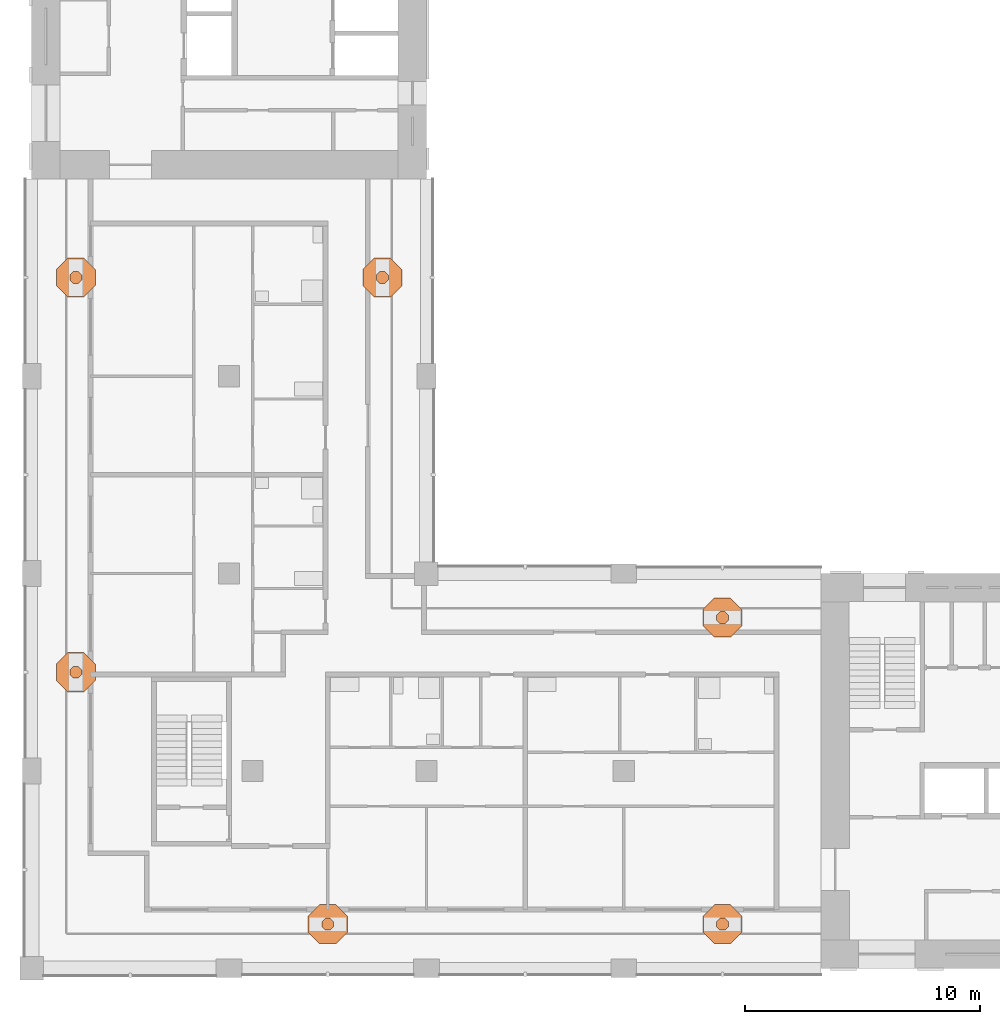
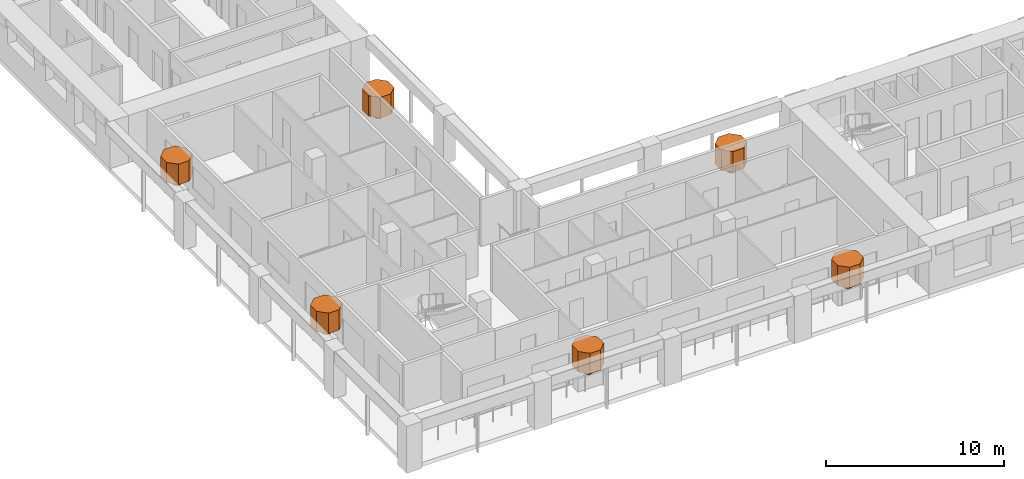
# One storey, part 12 of 12: 12 geographic elements.
"""IFC4 building model written with IfcOpenShell, lengths in metres."""

from ifc_helpers import new_model, si_unit, direction, frame, origin, place, context, subcontext, project, spatial, polyline, outline, extrude, material, element, save


model = new_model("IFC4")

# Units and contexts
model_context = context("Model", 3, precision=1e-05, world=origin(), true_north=direction((0.0, 1.0)))
body_context = subcontext(model_context, "Body", "Model", "MODEL_VIEW")
ifc_project = project(units=[si_unit("LENGTHUNIT", "METRE"), si_unit("AREAUNIT", "SQUARE_METRE"), si_unit("VOLUMEUNIT", "CUBIC_METRE"), si_unit("PLANEANGLEUNIT", "RADIAN"), si_unit("MASSUNIT", "GRAM", prefix="KILO")], contexts=[model_context])

# Site, building, storey
site_placement = place(None, origin())
site = spatial("IfcSite", under=ifc_project, at=site_placement, CompositionType="ELEMENT")
building_placement = place(site_placement, origin())
building = spatial("IfcBuilding", under=site, at=building_placement, Name="Vermilion Gate Residences", CompositionType="ELEMENT")
storey_placement = place(building_placement, frame((0.0, 0.0, 214.199951171875)))
storey = spatial("IfcBuildingStorey", under=building, at=storey_placement, Name="L55", CompositionType="ELEMENT", Elevation=214.199951171875)

# Geographic elements
ifc_material = material(Name="Foliage")
geographic_element_1_placement = place(storey_placement, frame((0.0, 0.0, 0.900146484375)))
element("IfcGeographicElement", 1, at=geographic_element_1_placement, inside=storey, material=ifc_material, Name="Tree (black pine)", ObjectType="TREE", PredefinedType="USERDEFINED", context=body_context, shape_type="SweptSolid", body=[
    extrude(outline(polyline([(21.254150390625, 10.380126953125), (21.105224609375, 10.529052734375), (20.894775390625, 10.529052734375), (20.745849609375, 10.380126953125), (20.745849609375, 10.169921875), (20.894775390625, 10.02099609375), (21.105224609375, 10.02099609375), (21.254150390625, 10.169921875), (21.254150390625, 10.380126953125)])), origin(), (0.0, 0.0, 1.0), 0.52001953125),
])
geographic_element_2_placement = place(storey_placement, frame((0.0, 0.0, 1.420166015625)))
element("IfcGeographicElement", 2, at=geographic_element_2_placement, inside=storey, material=ifc_material, Name="Tree crown (black pine)", ObjectType="TREE", PredefinedType="USERDEFINED", context=body_context, shape_type="SweptSolid", body=[
    extrude(outline(polyline([(21.83154296875, 10.619384765625), (21.344482421875, 11.1064453125), (20.655517578125, 11.1064453125), (20.16845703125, 10.619384765625), (20.16845703125, 9.9306640625), (20.655517578125, 9.443603515625), (21.344482421875, 9.443603515625), (21.83154296875, 9.9306640625), (21.83154296875, 10.619384765625)])), origin(), (0.0, 0.0, 1.0), 1.39990234375),
])
geographic_element_3_placement = place(storey_placement, frame((0.0, 0.0, 0.900146484375)))
element("IfcGeographicElement", 3, at=geographic_element_3_placement, inside=storey, material=ifc_material, Name="Tree (maple)", ObjectType="TREE", PredefinedType="USERDEFINED", context=body_context, shape_type="SweptSolid", body=[
    extrude(outline(polyline([(38.05419921875, 10.380126953125), (37.9052734375, 10.529052734375), (37.69482421875, 10.529052734375), (37.5458984375, 10.380126953125), (37.5458984375, 10.169921875), (37.69482421875, 10.02099609375), (37.9052734375, 10.02099609375), (38.05419921875, 10.169921875), (38.05419921875, 10.380126953125)])), origin(), (0.0, 0.0, 1.0), 0.52001953125),
])
geographic_element_4_placement = place(storey_placement, frame((0.0, 0.0, 1.420166015625)))
element("IfcGeographicElement", 4, at=geographic_element_4_placement, inside=storey, material=ifc_material, Name="Tree crown (maple)", ObjectType="TREE", PredefinedType="USERDEFINED", context=body_context, shape_type="SweptSolid", body=[
    extrude(outline(polyline([(38.631591796875, 10.619384765625), (38.144287109375, 11.1064453125), (37.45556640625, 11.1064453125), (36.968505859375, 10.619384765625), (36.968505859375, 9.9306640625), (37.45556640625, 9.443603515625), (38.144287109375, 9.443603515625), (38.631591796875, 9.9306640625), (38.631591796875, 10.619384765625)])), origin(), (0.0, 0.0, 1.0), 1.39990234375),
])
geographic_element_5_placement = place(storey_placement, frame((0.0, 0.0, 0.900146484375)))
element("IfcGeographicElement", 5, at=geographic_element_5_placement, inside=storey, material=ifc_material, Name="Tree (maple)", ObjectType="TREE", PredefinedType="USERDEFINED", context=body_context, shape_type="SweptSolid", body=[
    extrude(outline(polyline([(38.05419921875, 23.43017578125), (37.9052734375, 23.5791015625), (37.69482421875, 23.5791015625), (37.5458984375, 23.43017578125), (37.5458984375, 23.2197265625), (37.69482421875, 23.07080078125), (37.9052734375, 23.07080078125), (38.05419921875, 23.2197265625), (38.05419921875, 23.43017578125)])), origin(), (0.0, 0.0, 1.0), 0.52001953125),
])
geographic_element_6_placement = place(storey_placement, frame((0.0, 0.0, 1.420166015625)))
element("IfcGeographicElement", 6, at=geographic_element_6_placement, inside=storey, material=ifc_material, Name="Tree crown (maple)", ObjectType="TREE", PredefinedType="USERDEFINED", context=body_context, shape_type="SweptSolid", body=[
    extrude(outline(polyline([(38.631591796875, 23.66943359375), (38.144287109375, 24.156494140625), (37.45556640625, 24.156494140625), (36.968505859375, 23.66943359375), (36.968505859375, 22.980712890625), (37.45556640625, 22.493408203125), (38.144287109375, 22.493408203125), (38.631591796875, 22.980712890625), (38.631591796875, 23.66943359375)])), origin(), (0.0, 0.0, 1.0), 1.39990234375),
])
geographic_element_7_placement = place(storey_placement, frame((0.0, 0.0, 0.900146484375)))
element("IfcGeographicElement", 7, at=geographic_element_7_placement, inside=storey, material=ifc_material, Name="Tree (maple)", ObjectType="TREE", PredefinedType="USERDEFINED", context=body_context, shape_type="SweptSolid", body=[
    extrude(outline(polyline([(23.5791015625, 37.9052734375), (23.43017578125, 38.05419921875), (23.2197265625, 38.05419921875), (23.07080078125, 37.9052734375), (23.07080078125, 37.69482421875), (23.2197265625, 37.5458984375), (23.43017578125, 37.5458984375), (23.5791015625, 37.69482421875), (23.5791015625, 37.9052734375)])), origin(), (0.0, 0.0, 1.0), 0.52001953125),
])
geographic_element_8_placement = place(storey_placement, frame((0.0, 0.0, 1.420166015625)))
element("IfcGeographicElement", 8, at=geographic_element_8_placement, inside=storey, material=ifc_material, Name="Tree crown (maple)", ObjectType="TREE", PredefinedType="USERDEFINED", context=body_context, shape_type="SweptSolid", body=[
    extrude(outline(polyline([(24.156494140625, 38.144287109375), (23.66943359375, 38.631591796875), (22.980712890625, 38.631591796875), (22.493408203125, 38.144287109375), (22.493408203125, 37.45556640625), (22.980712890625, 36.968505859375), (23.66943359375, 36.968505859375), (24.156494140625, 37.45556640625), (24.156494140625, 38.144287109375)])), origin(), (0.0, 0.0, 1.0), 1.39990234375),
])
geographic_element_9_placement = place(storey_placement, frame((0.0, 0.0, 0.900146484375)))
element("IfcGeographicElement", 9, at=geographic_element_9_placement, inside=storey, material=ifc_material, Name="Tree (black pine)", ObjectType="TREE", PredefinedType="USERDEFINED", context=body_context, shape_type="SweptSolid", body=[
    extrude(outline(polyline([(10.529052734375, 21.105224609375), (10.380126953125, 21.254150390625), (10.169921875, 21.254150390625), (10.02099609375, 21.105224609375), (10.02099609375, 20.894775390625), (10.169921875, 20.745849609375), (10.380126953125, 20.745849609375), (10.529052734375, 20.894775390625), (10.529052734375, 21.105224609375)])), origin(), (0.0, 0.0, 1.0), 0.52001953125),
])
geographic_element_10_placement = place(storey_placement, frame((0.0, 0.0, 1.420166015625)))
element("IfcGeographicElement", 10, at=geographic_element_10_placement, inside=storey, material=ifc_material, Name="Tree crown (black pine)", ObjectType="TREE", PredefinedType="USERDEFINED", context=body_context, shape_type="SweptSolid", body=[
    extrude(outline(polyline([(11.1064453125, 21.344482421875), (10.619384765625, 21.83154296875), (9.9306640625, 21.83154296875), (9.443603515625, 21.344482421875), (9.443603515625, 20.655517578125), (9.9306640625, 20.16845703125), (10.619384765625, 20.16845703125), (11.1064453125, 20.655517578125), (11.1064453125, 21.344482421875)])), origin(), (0.0, 0.0, 1.0), 1.39990234375),
])
geographic_element_11_placement = place(storey_placement, frame((0.0, 0.0, 0.900146484375)))
element("IfcGeographicElement", 11, at=geographic_element_11_placement, inside=storey, material=ifc_material, Name="Tree (maple)", ObjectType="TREE", PredefinedType="USERDEFINED", context=body_context, shape_type="SweptSolid", body=[
    extrude(outline(polyline([(10.529052734375, 37.9052734375), (10.380126953125, 38.05419921875), (10.169921875, 38.05419921875), (10.02099609375, 37.9052734375), (10.02099609375, 37.69482421875), (10.169921875, 37.5458984375), (10.380126953125, 37.5458984375), (10.529052734375, 37.69482421875), (10.529052734375, 37.9052734375)])), origin(), (0.0, 0.0, 1.0), 0.52001953125),
])
geographic_element_12_placement = place(storey_placement, frame((0.0, 0.0, 1.420166015625)))
element("IfcGeographicElement", 12, at=geographic_element_12_placement, inside=storey, material=ifc_material, Name="Tree crown (maple)", ObjectType="TREE", PredefinedType="USERDEFINED", context=body_context, shape_type="SweptSolid", body=[
    extrude(outline(polyline([(11.1064453125, 38.144287109375), (10.619384765625, 38.631591796875), (9.9306640625, 38.631591796875), (9.443603515625, 38.144287109375), (9.443603515625, 37.45556640625), (9.9306640625, 36.968505859375), (10.619384765625, 36.968505859375), (11.1064453125, 37.45556640625), (11.1064453125, 38.144287109375)])), origin(), (0.0, 0.0, 1.0), 1.39990234375),
])

save(model, "model.ifc")
